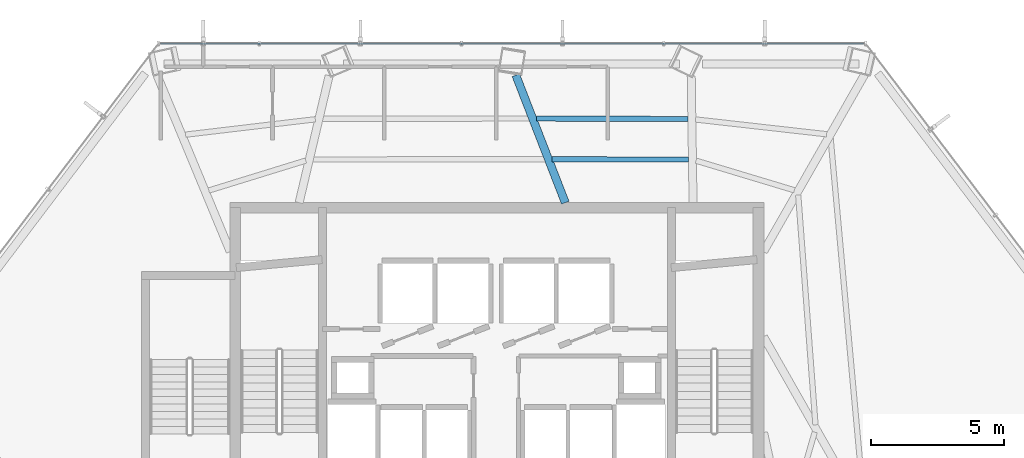
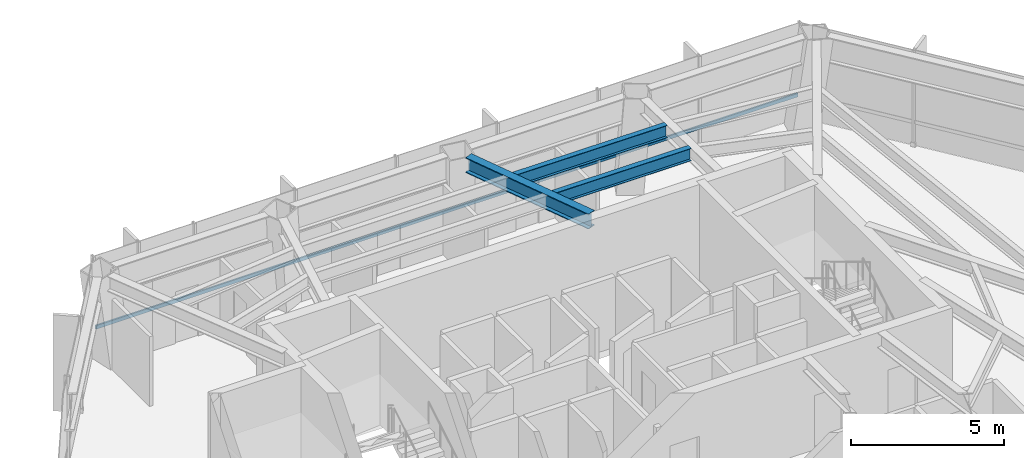
# One storey, part 14 of 26: 3 beams, 1 member, 1 element without a shape of its own.
"""IFC4 building model written with IfcOpenShell, lengths in metres."""

from ifc_helpers import new_model, si_unit, direction, frame, origin, origin_2d, place, context, subcontext, project, spatial, hollow_rectangle, i_section, extrude, material, layer, layer_set, material_profile, profile_set, type_object, element, aggregate, save


model = new_model("IFC4")

# Units and contexts
model_context = context("Model", 3, precision=1e-05, world=origin(), true_north=direction((0.0, 1.0)))
body_context = subcontext(model_context, "Body", "Model", "MODEL_VIEW")
ifc_project = project(units=[si_unit("LENGTHUNIT", "METRE"), si_unit("AREAUNIT", "SQUARE_METRE"), si_unit("VOLUMEUNIT", "CUBIC_METRE"), si_unit("PLANEANGLEUNIT", "RADIAN"), si_unit("MASSUNIT", "GRAM", prefix="KILO")], contexts=[model_context])

# Site, building, storey
site_placement = place(None, origin())
site = spatial("IfcSite", under=ifc_project, at=site_placement, CompositionType="ELEMENT")
building_placement = place(site_placement, origin())
building = spatial("IfcBuilding", under=site, at=building_placement, Name="Zarrinselat Tower", CompositionType="ELEMENT")
storey_placement = place(building_placement, frame((0.0, 0.0, 92.820068359375)))
storey = spatial("IfcBuildingStorey", under=building, at=storey_placement, Name="L22", CompositionType="ELEMENT", Elevation=92.820068359375)

# Beams
ifc_material_1 = material(Name="Steel S355J2", Category="steel")
ifc_material_profile_1 = material_profile(ifc_material_1, i_section(OverallWidth=0.300048828125, OverallDepth=0.60009765625, WebThickness=0.015380859375, FlangeThickness=0.030029296875, at=origin_2d()), Name="HEB 600")
ifc_profile_set_1 = profile_set([ifc_material_profile_1], Name="Steel S355J2")
beam_type_1 = type_object("IfcBeamType", Name="BM-HEB600", PredefinedType="BEAM", material=ifc_profile_set_1)
beam_1_placement = place(storey_placement, frame((39.142578125, 48.4287109375, 3.52001953125), z_axis=(0.361618079652, -0.932326318661, 0.0), x_axis=(0.932326318661, 0.361618079652, 0.0)))
element("IfcBeam", 1, at=beam_1_placement, inside=storey, type_object=beam_type_1, Name="L22 Radial Primary Girder RG03", PredefinedType="BEAM", context=body_context, shape_type="SweptSolid", body=[
    extrude(i_section(OverallWidth=0.300048828125, OverallDepth=0.60009765625, WebThickness=0.015380859375, FlangeThickness=0.030029296875, at=origin_2d()), origin(), (0.0, 0.0, 1.0), 5.136474609375),
])
ifc_material_2 = material(Name="Steel S355J2", Category="steel")
ifc_material_profile_2 = material_profile(ifc_material_2, i_section(OverallWidth=0.199951171875, OverallDepth=0.5, WebThickness=0.01025390625, FlangeThickness=0.01611328125, at=origin_2d()), Name="IPE 500")
ifc_profile_set_2 = profile_set([ifc_material_profile_2], Name="Steel S355J2")
beam_type_2 = type_object("IfcBeamType", Name="BM-IPE500", PredefinedType="JOIST", material=ifc_profile_set_2)
beam_2_placement = place(storey_placement, frame((39.9140625, 46.800048828125, 3.56982421875), z_axis=(0.999994277188, -0.003383133395, 0.0), x_axis=(0.003383133395, 0.999994277188, 0.0)))
element("IfcBeam", 2, at=beam_2_placement, inside=storey, type_object=beam_type_2, Name="L22 Composite Floor Joist 7-1", PredefinedType="JOIST", context=body_context, shape_type="SweptSolid", body=[
    extrude(i_section(OverallWidth=0.199951171875, OverallDepth=0.5, WebThickness=0.01025390625, FlangeThickness=0.01611328125, at=origin_2d()), origin(), (0.0, 0.0, 1.0), 5.700927734375),
])
beam_3_placement = place(storey_placement, frame((40.508544921875, 45.267822265625, 3.56982421875), z_axis=(0.99999818681, -0.001904305045, 0.0), x_axis=(0.001904305045, 0.99999818681, 0.0)))
element("IfcBeam", 3, at=beam_3_placement, inside=storey, type_object=beam_type_2, Name="L22 Composite Floor Joist 7-2", PredefinedType="JOIST", context=body_context, shape_type="SweptSolid", body=[
    extrude(i_section(OverallWidth=0.199951171875, OverallDepth=0.5, WebThickness=0.01025390625, FlangeThickness=0.01611328125, at=origin_2d()), origin(), (0.0, 0.0, 1.0), 5.128173828125),
])

# Curtain wall, member
ifc_material_3 = material(Name="Extruded Aluminium Alloy EN AW-6063 T6", Category="aluminium")
ifc_layer = layer(ifc_material_3, 0.18505859375)
ifc_layer_set = layer_set([ifc_layer], Name="Extruded Aluminium Alloy EN AW-6063 T6")
curtain_wall_type = type_object("IfcCurtainWallType", Name="CWS-OFF", PredefinedType="NOTDEFINED", material=ifc_layer_set)
curtain_wall_placement = place(storey_placement, origin())
curtain_wall = element("IfcCurtainWall", 4, at=curtain_wall_placement, inside=storey, type_object=curtain_wall_type, Name="L22 Unitised Curtain Wall CW-L22-E01", PredefinedType="NOTDEFINED")
ifc_material_4 = material(Name="Extruded Aluminium Alloy EN AW-6063 T6", Category="aluminium")
ifc_material_profile_3 = material_profile(ifc_material_4, hollow_rectangle(XDim=0.06005859375, YDim=0.139892578125, WallThickness=0.00390625, at=origin_2d()), Name="RHS 140x60x4")
ifc_profile_set_3 = profile_set([ifc_material_profile_3], Name="Extruded Aluminium Alloy EN AW-6063 T6")
member_type = type_object("IfcMemberType", Name="MEM-CW-TRN", PredefinedType="USERDEFINED", material=ifc_profile_set_3)
member_placement = place(storey_placement, frame((52.201416015625, 49.61669921875, 0.949951171875), z_axis=(-1.0, 0.0, 0.0), x_axis=(0.0, -1.0, 0.0)))
member = element("IfcMember", 5, at=member_placement, type_object=member_type, Name="CW-L22-E01 Transom 1", ObjectType="TRANSOM", PredefinedType="USERDEFINED", context=body_context, shape_type="SweptSolid", body=[
    extrude(hollow_rectangle(XDim=0.06005859375, YDim=0.139892578125, WallThickness=0.00390625, at=origin_2d()), origin(), (0.0, 0.0, 1.0), 26.406982421875),
])
aggregate(curtain_wall, [member])

save(model, "model.ifc")
